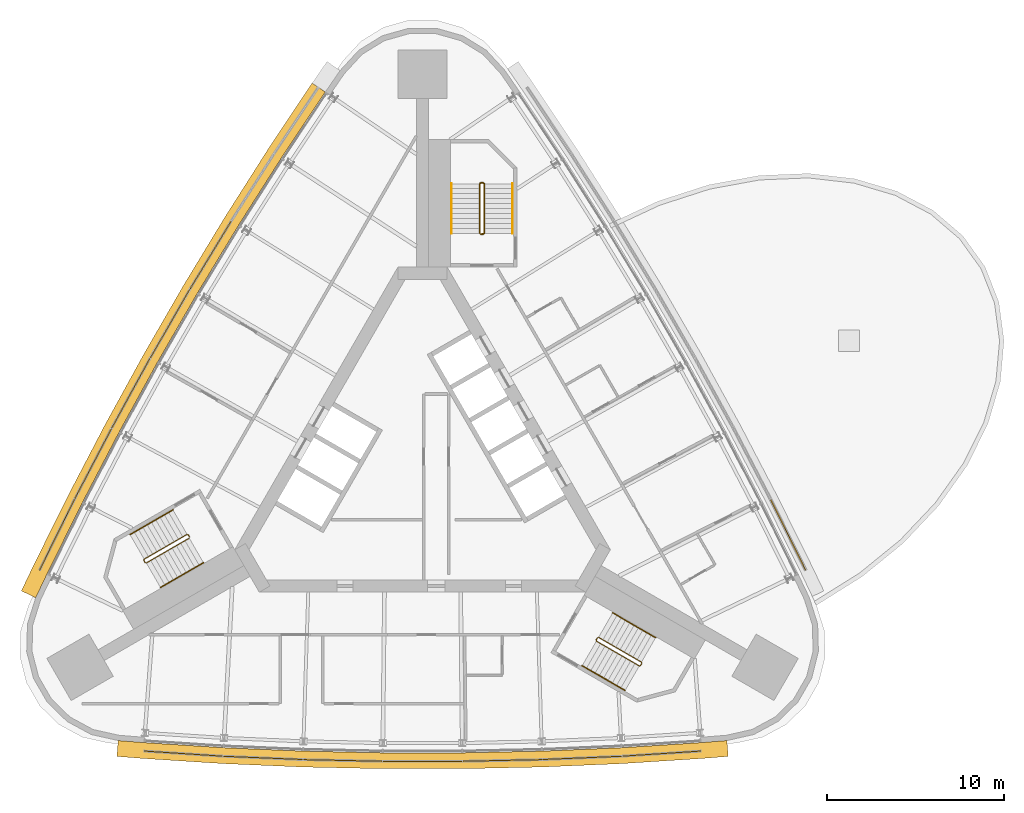
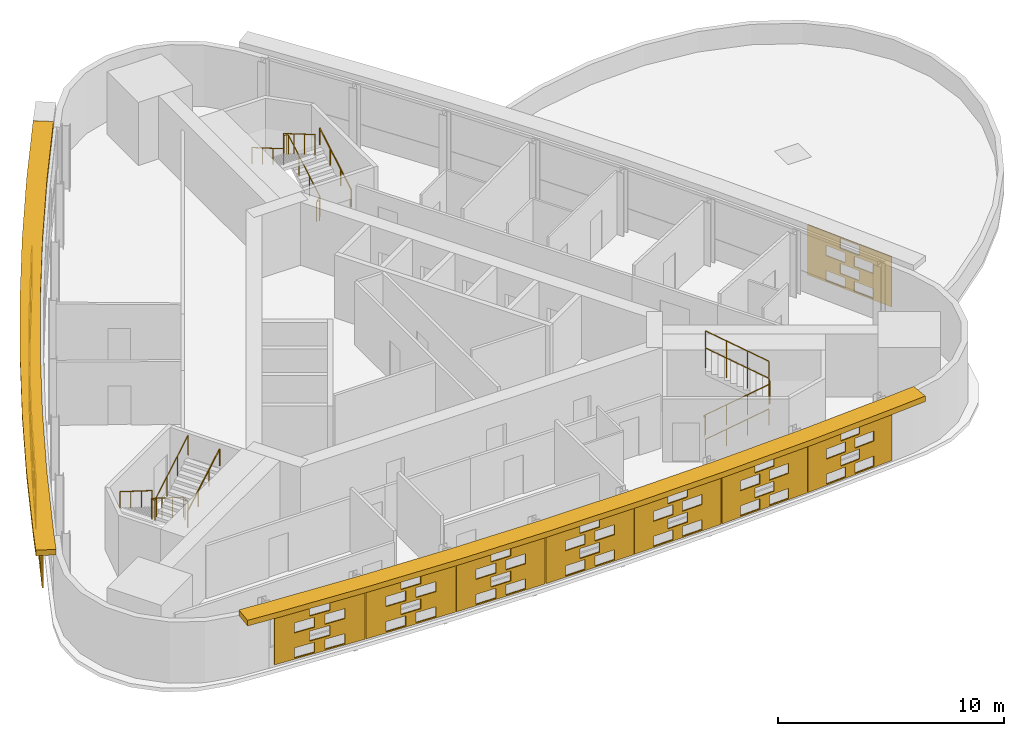
# One storey, part 11 of 12: 15 shading devices, 9 railings.
"""IFC4 building model written with IfcOpenShell, lengths in metres."""

from ifc_helpers import new_model, si_unit, direction, frame, origin, origin_2d, place, context, subcontext, project, spatial, polyline, circle, outline, extrude, material, material_profile, profile_set, type_object, element, save


model = new_model("IFC4")

# Units and contexts
model_context = context("Model", 3, precision=1e-05, world=origin(), true_north=direction((0.0, 1.0)))
body_context = subcontext(model_context, "Body", "Model", "MODEL_VIEW")
ifc_project = project(units=[si_unit("LENGTHUNIT", "METRE"), si_unit("AREAUNIT", "SQUARE_METRE"), si_unit("VOLUMEUNIT", "CUBIC_METRE"), si_unit("PLANEANGLEUNIT", "RADIAN"), si_unit("MASSUNIT", "GRAM", prefix="KILO")], contexts=[model_context])

# Site, building, storey
site_placement = place(None, origin())
site = spatial("IfcSite", under=ifc_project, at=site_placement, CompositionType="ELEMENT")
building_placement = place(site_placement, origin())
building = spatial("IfcBuilding", under=site, at=building_placement, Name="Noor Cloister Tower", CompositionType="ELEMENT")
storey_placement = place(building_placement, frame((0.0, 0.0, 185.10009765625)))
storey = spatial("IfcBuildingStorey", under=building, at=storey_placement, Name="L47", CompositionType="ELEMENT", Elevation=185.10009765625)

# Shading devices
ifc_material_1 = material(Name="Limestone", Category="masonry")
ifc_material_profile = material_profile(ifc_material_1, outline(polyline([(-2.22998046875, -1.35009765625), (2.22998046875, -1.35009765625), (2.22998046875, 1.35009765625), (-2.22998046875, 1.35009765625), (-2.22998046875, -1.35009765625)]), holes=[polyline([(-1.25, -1.282470703125), (-0.25, -1.282470703125), (-0.25, -0.742431640625), (-1.25, -0.742431640625), (-1.25, -1.282470703125)]), polyline([(0.25, -1.282470703125), (1.25, -1.282470703125), (1.25, -0.742431640625), (0.25, -0.742431640625), (0.25, -1.282470703125)]), polyline([(-0.5, -0.607421875), (0.5, -0.607421875), (0.5, -0.0673828125), (-0.5, -0.0673828125), (-0.5, -0.607421875)]), polyline([(-1.25, 0.0673828125), (-0.25, 0.0673828125), (-0.25, 0.607421875), (-1.25, 0.607421875), (-1.25, 0.0673828125)]), polyline([(0.25, 0.0673828125), (1.25, 0.0673828125), (1.25, 0.607421875), (0.25, 0.607421875), (0.25, 0.0673828125)]), polyline([(-0.5, 0.742431640625), (0.5, 0.742431640625), (0.5, 1.282470703125), (-0.5, 1.282470703125), (-0.5, 0.742431640625)])]), Name="Woven screen 32 percent open")
ifc_profile_set = profile_set([ifc_material_profile], Name="Limestone")
shading_device_type_1 = type_object("IfcShadingDeviceType", Name="SCREEN woven limestone 32 percent open", PredefinedType="USERDEFINED", material=ifc_profile_set)
shading_device_1_placement = place(storey_placement, frame((-11.95556640625, 12.109130859375, 1.849853515625), z_axis=(-0.854980050906, 0.518660883962, 0.0), x_axis=(-0.518660883962, -0.854980050906, 0.0)))
element("IfcShadingDevice", 1, at=shading_device_1_placement, inside=storey, type_object=shading_device_type_1, Name="SCREEN L47 3", ObjectType="SCREEN", PredefinedType="USERDEFINED", context=body_context, shape_type="SweptSolid", body=[
    extrude(outline(polyline([(-2.22998046875, -1.35009765625), (2.22998046875, -1.35009765625), (2.22998046875, 1.35009765625), (-2.22998046875, 1.35009765625), (-2.22998046875, -1.35009765625)]), holes=[polyline([(-1.25, -1.282470703125), (-0.25, -1.282470703125), (-0.25, -0.742431640625), (-1.25, -0.742431640625), (-1.25, -1.282470703125)]), polyline([(0.25, -1.282470703125), (1.25, -1.282470703125), (1.25, -0.742431640625), (0.25, -0.742431640625), (0.25, -1.282470703125)]), polyline([(-0.5, -0.607421875), (0.5, -0.607421875), (0.5, -0.0673828125), (-0.5, -0.0673828125), (-0.5, -0.607421875)]), polyline([(-1.25, 0.0673828125), (-0.25, 0.0673828125), (-0.25, 0.607421875), (-1.25, 0.607421875), (-1.25, 0.0673828125)]), polyline([(0.25, 0.0673828125), (1.25, 0.0673828125), (1.25, 0.607421875), (0.25, 0.607421875), (0.25, 0.0673828125)]), polyline([(-0.5, 0.742431640625), (0.5, 0.742431640625), (0.5, 1.282470703125), (-0.5, 1.282470703125), (-0.5, 0.742431640625)])]), origin(), (0.0, 0.0, 1.0), 0.060302734375),
])
shading_device_2_placement = place(storey_placement, frame((-14.251953125, 8.228515625, 1.849853515625), z_axis=(-0.86774129532, 0.497016140981, 0.0), x_axis=(-0.497016140981, -0.86774129532, 0.0)))
element("IfcShadingDevice", 2, at=shading_device_2_placement, inside=storey, type_object=shading_device_type_1, Name="SCREEN L47 4", ObjectType="SCREEN", PredefinedType="USERDEFINED", context=body_context, shape_type="SweptSolid", body=[
    extrude(outline(polyline([(-2.22998046875, -1.35009765625), (2.22998046875, -1.35009765625), (2.22998046875, 1.35009765625), (-2.22998046875, 1.35009765625), (-2.22998046875, -1.35009765625)]), holes=[polyline([(-1.25, -1.282470703125), (-0.25, -1.282470703125), (-0.25, -0.742431640625), (-1.25, -0.742431640625), (-1.25, -1.282470703125)]), polyline([(0.25, -1.282470703125), (1.25, -1.282470703125), (1.25, -0.742431640625), (0.25, -0.742431640625), (0.25, -1.282470703125)]), polyline([(-0.5, -0.607421875), (0.5, -0.607421875), (0.5, -0.0673828125), (-0.5, -0.0673828125), (-0.5, -0.607421875)]), polyline([(-1.25, 0.0673828125), (-0.25, 0.0673828125), (-0.25, 0.607421875), (-1.25, 0.607421875), (-1.25, 0.0673828125)]), polyline([(0.25, 0.0673828125), (1.25, 0.0673828125), (1.25, 0.607421875), (0.25, 0.607421875), (0.25, 0.0673828125)]), polyline([(-0.5, 0.742431640625), (0.5, 0.742431640625), (0.5, 1.282470703125), (-0.5, 1.282470703125), (-0.5, 0.742431640625)])]), origin(), (0.0, 0.0, 1.0), 0.059814453125),
])
for number, where, z_axis, x_axis, name in (
    (3, (-16.464599609375, 4.29931640625, 1.849853515625), (-0.877584848731, 0.479421352547, 0.0), (-0.479421352547, -0.877584848731, 0.0), "SCREEN L47 5"),
    (4, (-18.5927734375, 0.32373046875, 1.849853515625), (-0.886149575817, 0.463399319464, 0.0), (-0.463399319464, -0.886149575817, 0.0), "SCREEN L47 6"),
    (5, (-20.63525390625, -3.6962890625, 1.849853515625), (-0.896848817686, 0.442337199673, 0.0), (-0.442337199673, -0.896848817686, 0.0), "SCREEN L47 7"),
):
    element("IfcShadingDevice", number, at=place(storey_placement, frame(where, z_axis=z_axis, x_axis=x_axis)), inside=storey, type_object=shading_device_type_1, Name=name, ObjectType="SCREEN", PredefinedType="USERDEFINED", context=body_context, shape_type="SweptSolid", body=[
        extrude(outline(polyline([(-2.22998046875, -1.35009765625), (2.22998046875, -1.35009765625), (2.22998046875, 1.35009765625), (-2.22998046875, 1.35009765625), (-2.22998046875, -1.35009765625)]), holes=[polyline([(-1.25, -1.282470703125), (-0.25, -1.282470703125), (-0.25, -0.742431640625), (-1.25, -0.742431640625), (-1.25, -1.282470703125)]), polyline([(0.25, -1.282470703125), (1.25, -1.282470703125), (1.25, -0.742431640625), (0.25, -0.742431640625), (0.25, -1.282470703125)]), polyline([(-0.5, -0.607421875), (0.5, -0.607421875), (0.5, -0.0673828125), (-0.5, -0.0673828125), (-0.5, -0.607421875)]), polyline([(-1.25, 0.0673828125), (-0.25, 0.0673828125), (-0.25, 0.607421875), (-1.25, 0.607421875), (-1.25, 0.0673828125)]), polyline([(0.25, 0.0673828125), (1.25, 0.0673828125), (1.25, 0.607421875), (0.25, 0.607421875), (0.25, 0.0673828125)]), polyline([(-0.5, 0.742431640625), (0.5, 0.742431640625), (0.5, 1.282470703125), (-0.5, 1.282470703125), (-0.5, 0.742431640625)])]), origin(), (0.0, 0.0, 1.0), 0.06005859375),
    ])
shading_device_3_placement = place(storey_placement, frame((-13.518798828125, -16.0224609375, 1.849853515625), z_axis=(-0.064903515062, -0.997891544073, 0.0), x_axis=(0.997891544073, -0.064903515062, 0.0)))
element("IfcShadingDevice", 6, at=shading_device_3_placement, inside=storey, type_object=shading_device_type_1, Name="SCREEN L47 1", ObjectType="SCREEN", PredefinedType="USERDEFINED", context=body_context, shape_type="SweptSolid", body=[
    extrude(outline(polyline([(-2.22998046875, -1.35009765625), (2.22998046875, -1.35009765625), (2.22998046875, 1.35009765625), (-2.22998046875, 1.35009765625), (-2.22998046875, -1.35009765625)]), holes=[polyline([(-1.25, -1.282470703125), (-0.25, -1.282470703125), (-0.25, -0.742431640625), (-1.25, -0.742431640625), (-1.25, -1.282470703125)]), polyline([(0.25, -1.282470703125), (1.25, -1.282470703125), (1.25, -0.742431640625), (0.25, -0.742431640625), (0.25, -1.282470703125)]), polyline([(-0.5, -0.607421875), (0.5, -0.607421875), (0.5, -0.0673828125), (-0.5, -0.0673828125), (-0.5, -0.607421875)]), polyline([(-1.25, 0.0673828125), (-0.25, 0.0673828125), (-0.25, 0.607421875), (-1.25, 0.607421875), (-1.25, 0.0673828125)]), polyline([(0.25, 0.0673828125), (1.25, 0.0673828125), (1.25, 0.607421875), (0.25, 0.607421875), (0.25, 0.0673828125)]), polyline([(-0.5, 0.742431640625), (0.5, 0.742431640625), (0.5, 1.282470703125), (-0.5, 1.282470703125), (-0.5, 0.742431640625)])]), origin(), (0.0, 0.0, 1.0), 0.060302734375),
])
for number, where, z_axis, x_axis, name in (
    (7, (-9.01611328125, -16.263671875, 1.849853515625), (-0.040616861577, -0.999174794796, 0.0), (0.999174794796, -0.040616861577, 0.0), "SCREEN L47 2"),
    (8, (-4.509033203125, -16.408447265625, 1.849853515625), (-0.020321006241, -0.999793507033, 0.0), (0.999793507033, -0.020321006241, 0.0), "SCREEN L47 3"),
    (9, (0.0, -16.456787109375, 1.849853515625), (0.0, -1.0, 0.0), (1.0, 0.0, 0.0), "SCREEN L47 4"),
    (10, (4.509033203125, -16.408447265625, 1.849853515625), (0.020321006241, -0.999793507033, 0.0), (0.999793507033, 0.020321006241, 0.0), "SCREEN L47 5"),
    (11, (9.01611328125, -16.263671875, 1.849853515625), (0.040616861577, -0.999174794796, 0.0), (0.999174794796, 0.040616861577, 0.0), "SCREEN L47 6"),
):
    element("IfcShadingDevice", number, at=place(storey_placement, frame(where, z_axis=z_axis, x_axis=x_axis)), inside=storey, type_object=shading_device_type_1, Name=name, ObjectType="SCREEN", PredefinedType="USERDEFINED", context=body_context, shape_type="SweptSolid", body=[
        extrude(outline(polyline([(-2.22998046875, -1.35009765625), (2.22998046875, -1.35009765625), (2.22998046875, 1.35009765625), (-2.22998046875, 1.35009765625), (-2.22998046875, -1.35009765625)]), holes=[polyline([(-1.25, -1.282470703125), (-0.25, -1.282470703125), (-0.25, -0.742431640625), (-1.25, -0.742431640625), (-1.25, -1.282470703125)]), polyline([(0.25, -1.282470703125), (1.25, -1.282470703125), (1.25, -0.742431640625), (0.25, -0.742431640625), (0.25, -1.282470703125)]), polyline([(-0.5, -0.607421875), (0.5, -0.607421875), (0.5, -0.0673828125), (-0.5, -0.0673828125), (-0.5, -0.607421875)]), polyline([(-1.25, 0.0673828125), (-0.25, 0.0673828125), (-0.25, 0.607421875), (-1.25, 0.607421875), (-1.25, 0.0673828125)]), polyline([(0.25, 0.0673828125), (1.25, 0.0673828125), (1.25, 0.607421875), (0.25, 0.607421875), (0.25, 0.0673828125)]), polyline([(-0.5, 0.742431640625), (0.5, 0.742431640625), (0.5, 1.282470703125), (-0.5, 1.282470703125), (-0.5, 0.742431640625)])]), origin(), (0.0, 0.0, 1.0), 0.06005859375),
    ])
shading_device_4_placement = place(storey_placement, frame((13.518798828125, -16.0224609375, 1.849853515625), z_axis=(0.064903515062, -0.997891544073, 0.0), x_axis=(0.997891544073, 0.064903515062, 0.0)))
element("IfcShadingDevice", 12, at=shading_device_4_placement, inside=storey, type_object=shading_device_type_1, Name="SCREEN L47 7", ObjectType="SCREEN", PredefinedType="USERDEFINED", context=body_context, shape_type="SweptSolid", body=[
    extrude(outline(polyline([(-2.22998046875, -1.35009765625), (2.22998046875, -1.35009765625), (2.22998046875, 1.35009765625), (-2.22998046875, 1.35009765625), (-2.22998046875, -1.35009765625)]), holes=[polyline([(-1.25, -1.282470703125), (-0.25, -1.282470703125), (-0.25, -0.742431640625), (-1.25, -0.742431640625), (-1.25, -1.282470703125)]), polyline([(0.25, -1.282470703125), (1.25, -1.282470703125), (1.25, -0.742431640625), (0.25, -0.742431640625), (0.25, -1.282470703125)]), polyline([(-0.5, -0.607421875), (0.5, -0.607421875), (0.5, -0.0673828125), (-0.5, -0.0673828125), (-0.5, -0.607421875)]), polyline([(-1.25, 0.0673828125), (-0.25, 0.0673828125), (-0.25, 0.607421875), (-1.25, 0.607421875), (-1.25, 0.0673828125)]), polyline([(0.25, 0.0673828125), (1.25, 0.0673828125), (1.25, 0.607421875), (0.25, 0.607421875), (0.25, 0.0673828125)]), polyline([(-0.5, 0.742431640625), (0.5, 0.742431640625), (0.5, 1.282470703125), (-0.5, 1.282470703125), (-0.5, 0.742431640625)])]), origin(), (0.0, 0.0, 1.0), 0.060302734375),
])
shading_device_5_placement = place(storey_placement, frame((20.63525390625, -3.6962890625, 1.849853515625), z_axis=(0.896848817686, 0.442337199673, 0.0), x_axis=(-0.442337199673, 0.896848817686, 0.0)))
element("IfcShadingDevice", 13, at=shading_device_5_placement, inside=storey, type_object=shading_device_type_1, Name="SCREEN L47 1", ObjectType="SCREEN", PredefinedType="USERDEFINED", context=body_context, shape_type="SweptSolid", body=[
    extrude(outline(polyline([(-2.22998046875, -1.35009765625), (2.22998046875, -1.35009765625), (2.22998046875, 1.35009765625), (-2.22998046875, 1.35009765625), (-2.22998046875, -1.35009765625)]), holes=[polyline([(-1.25, -1.282470703125), (-0.25, -1.282470703125), (-0.25, -0.742431640625), (-1.25, -0.742431640625), (-1.25, -1.282470703125)]), polyline([(0.25, -1.282470703125), (1.25, -1.282470703125), (1.25, -0.742431640625), (0.25, -0.742431640625), (0.25, -1.282470703125)]), polyline([(-0.5, -0.607421875), (0.5, -0.607421875), (0.5, -0.0673828125), (-0.5, -0.0673828125), (-0.5, -0.607421875)]), polyline([(-1.25, 0.0673828125), (-0.25, 0.0673828125), (-0.25, 0.607421875), (-1.25, 0.607421875), (-1.25, 0.0673828125)]), polyline([(0.25, 0.0673828125), (1.25, 0.0673828125), (1.25, 0.607421875), (0.25, 0.607421875), (0.25, 0.0673828125)]), polyline([(-0.5, 0.742431640625), (0.5, 0.742431640625), (0.5, 1.282470703125), (-0.5, 1.282470703125), (-0.5, 0.742431640625)])]), origin(), (0.0, 0.0, 1.0), 0.06005859375),
])
ifc_material_2 = material(Name="Limestone", Category="masonry")
shading_device_type_2 = type_object("IfcShadingDeviceType", Name="SUNSHADE limestone band 900", PredefinedType="USERDEFINED", material=ifc_material_2)
shading_device_6_placement = place(storey_placement, frame((0.0, 0.0, 3.2998046875)))
element("IfcShadingDevice", 14, at=shading_device_6_placement, inside=storey, type_object=shading_device_type_2, Name="SUNSHADE L47 1", ObjectType="SUNSHADE", PredefinedType="USERDEFINED", context=body_context, shape_type="SweptSolid", body=[
    extrude(outline(polyline([(-6.2431640625, 21.8408203125), (-8.744140625, 18.088134765625), (-11.1689453125, 14.274658203125), (-13.511962890625, 10.41015625), (-15.771484375, 6.49658203125), (-17.94677734375, 2.535400390625), (-20.036865234375, -1.471435546875), (-22.0390625, -5.519287109375), (-22.6767578125, -6.855712890625), (-21.864501953125, -7.2431640625), (-21.2294921875, -5.91259765625), (-19.234375, -1.879150390625), (-17.1533203125, 2.110595703125), (-14.9873046875, 6.054931640625), (-12.7373046875, 9.951904296875), (-10.404541015625, 13.7998046875), (-7.98974609375, 17.59716796875), (-5.494384765625, 21.341552734375), (-6.2431640625, 21.8408203125)])), origin(), (0.0, 0.0, 1.0), 0.300048828125),
])
shading_device_7_placement = place(storey_placement, frame((0.0, 0.0, 3.2998046875)))
element("IfcShadingDevice", 15, at=shading_device_7_placement, inside=storey, type_object=shading_device_type_2, Name="SUNSHADE L47 2", ObjectType="SUNSHADE", PredefinedType="USERDEFINED", context=body_context, shape_type="SweptSolid", body=[
    extrude(outline(polyline([(-17.275634765625, -16.210693359375), (-15.79931640625, -16.326904296875), (-11.292724609375, -16.61669921875), (-6.77783203125, -16.81005859375), (-2.259521484375, -16.90673828125), (2.259521484375, -16.90673828125), (6.77783203125, -16.81005859375), (11.292724609375, -16.61669921875), (15.79931640625, -16.326904296875), (17.275634765625, -16.210693359375), (17.205078125, -15.3134765625), (15.7353515625, -15.428955078125), (11.24462890625, -15.7177734375), (6.748779296875, -15.910400390625), (2.25, -16.0068359375), (-2.25, -16.0068359375), (-6.748779296875, -15.910400390625), (-11.24462890625, -15.7177734375), (-15.7353515625, -15.428955078125), (-17.205078125, -15.3134765625), (-17.275634765625, -16.210693359375)])), origin(), (0.0, 0.0, 1.0), 0.300048828125),
])

# Railings
ifc_material_3 = material(Name="Stainless steel", Category="steel")
railing_type_1 = type_object("IfcRailingType", Name="Stair guard 1100", PredefinedType="GUARDRAIL", material=ifc_material_3)
railing_1_placement = place(storey_placement, frame((3.435546875, 13.306396484375, 0.0)))
element("IfcRailing", 16, at=railing_1_placement, inside=storey, type_object=railing_type_1, Name="Stair guard ST1 L47", PredefinedType="GUARDRAIL", context=body_context, shape_type="SweptSolid", body=[
    extrude(circle(Radius=0.02392578125, at=origin_2d()), frame((0.0, 0.0, 1.076171875), z_axis=(-1.0, 0.0, 0.0), x_axis=(0.0, -1.0, 0.0)), (0.0, 0.0, 1.0), 0.14990234375),
    extrude(circle(Radius=0.02392578125, at=origin_2d()), frame((-0.14990234375, 0.0, 1.076171875), z_axis=(0.759870394187, 0.190199549216, 0.621627795), x_axis=(-0.242814311512, 0.970072785993, 0.0)), (0.0, 0.0, 1.0), 0.26318359375),
    extrude(circle(Radius=0.02392578125, at=origin_2d()), frame((0.050048828125, 0.050048828125, 1.23974609375), z_axis=(0.0, 0.863393664356, 0.504530851732), x_axis=(-1.0, 0.0, 0.0)), (0.0, 0.0, 1.0), 3.2431640625),
    extrude(circle(Radius=0.02392578125, at=origin_2d()), frame((0.050048828125, 2.85009765625, 2.8759765625), z_axis=(-0.708833529934, 0.705375805398, 0.0), x_axis=(-0.705375805398, -0.708833529934, 0.0)), (0.0, 0.0, 1.0), 0.070556640625),
    extrude(circle(Radius=0.02392578125, at=origin_2d()), frame((0.0, 2.89990234375, 2.8759765625), z_axis=(-1.0, 0.0, 0.0), x_axis=(0.0, -1.0, 0.0)), (0.0, 0.0, 1.0), 0.14990234375),
    extrude(circle(Radius=0.02392578125, at=origin_2d()), frame((-0.14990234375, 2.89990234375, 2.8759765625), z_axis=(-0.280563532951, -0.279194930351, 0.91833234444), x_axis=(0.705375805398, -0.708833529934, 0.0)), (0.0, 0.0, 1.0), 0.178466796875),
    extrude(circle(Radius=0.02392578125, at=origin_2d()), frame((-0.199951171875, 2.85009765625, 3.03955078125), z_axis=(0.0, -0.863393664356, 0.504530851732), x_axis=(1.0, 0.0, 0.0)), (0.0, 0.0, 1.0), 3.2431640625),
    extrude(circle(Radius=0.02099609375, at=origin_2d()), origin(), (0.0, 0.0, 1.0), 1.052001953125),
    extrude(circle(Radius=0.02099609375, at=origin_2d()), frame((-0.14990234375, 0.0, 0.0)), (0.0, 0.0, 1.0), 1.052001953125),
    extrude(circle(Radius=0.02099609375, at=origin_2d()), frame((0.050048828125, 0.050048828125, 0.16357421875)), (0.0, 0.0, 1.0), 1.052001953125),
    extrude(circle(Radius=0.02099609375, at=origin_2d()), frame((0.050048828125, 0.9833984375, 0.708984375)), (0.0, 0.0, 1.0), 1.052001953125),
    extrude(circle(Radius=0.02099609375, at=origin_2d()), frame((0.050048828125, 1.916748046875, 1.25439453125)), (0.0, 0.0, 1.0), 1.052001953125),
    extrude(circle(Radius=0.02099609375, at=origin_2d()), frame((0.050048828125, 2.85009765625, 1.7998046875)), (0.0, 0.0, 1.0), 1.052001953125),
    extrude(circle(Radius=0.02099609375, at=origin_2d()), frame((0.0, 2.89990234375, 1.7998046875)), (0.0, 0.0, 1.0), 1.052001953125),
    extrude(circle(Radius=0.02099609375, at=origin_2d()), frame((-0.14990234375, 2.89990234375, 1.7998046875)), (0.0, 0.0, 1.0), 1.052001953125),
    extrude(circle(Radius=0.02099609375, at=origin_2d()), frame((-0.199951171875, 2.85009765625, 1.963623046875)), (0.0, 0.0, 1.0), 1.052001953125),
    extrude(circle(Radius=0.02099609375, at=origin_2d()), frame((-0.199951171875, 1.916748046875, 2.509033203125)), (0.0, 0.0, 1.0), 1.052001953125),
    extrude(circle(Radius=0.02099609375, at=origin_2d()), frame((-0.199951171875, 0.9833984375, 3.054443359375)), (0.0, 0.0, 1.0), 1.052001953125),
    extrude(circle(Radius=0.02099609375, at=origin_2d()), frame((-0.199951171875, 0.050048828125, 3.599853515625)), (0.0, 0.0, 1.0), 1.052001953125),
])
railing_2_placement = place(storey_placement, frame((-13.241455078125, -3.677734375, 0.0)))
element("IfcRailing", 17, at=railing_2_placement, inside=storey, type_object=railing_type_1, Name="Stair guard ST2 L47", PredefinedType="GUARDRAIL", context=body_context, shape_type="SweptSolid", body=[
    extrude(circle(Radius=0.02392578125, at=origin_2d()), frame((0.0, 0.0, 1.076171875), z_axis=(0.499112439033, -0.866537231285, 0.0), x_axis=(0.866537231285, 0.499112439033, 0.0)), (0.0, 0.0, 1.0), 0.150146484375),
    extrude(circle(Radius=0.02392578125, at=origin_2d()), frame((0.074951171875, -0.130126953125, 1.076171875), z_axis=(-0.544565797804, 0.563119998752, 0.621565731736), x_axis=(-0.718850276695, -0.695164929852, 0.0)), (0.0, 0.0, 1.0), 0.26318359375),
    extrude(circle(Radius=0.02392578125, at=origin_2d()), frame((-0.068359375, 0.01806640625, 1.23974609375), z_axis=(-0.74771821388, -0.431677027627, 0.504551698492), x_axis=(0.49998411664, -0.866034573852, 0.0)), (0.0, 0.0, 1.0), 3.242919921875),
    extrude(circle(Radius=0.02392578125, at=origin_2d()), frame((-2.4931640625, -1.3818359375, 2.8759765625), z_axis=(-0.258736085224, -0.965948051503, 0.0), x_axis=(0.965948051503, -0.258736085224, 0.0)), (0.0, 0.0, 1.0), 0.07080078125),
    extrude(circle(Radius=0.02392578125, at=origin_2d()), frame((-2.511474609375, -1.4501953125, 2.8759765625), z_axis=(0.499816412211, -0.866131372301, 0.0), x_axis=(0.866131372301, 0.499816412211, 0.0)), (0.0, 0.0, 1.0), 0.14990234375),
    extrude(circle(Radius=0.02392578125, at=origin_2d()), frame((-2.4365234375, -1.580078125, 2.8759765625), z_axis=(0.383070988865, -0.102608300589, 0.918002262601), x_axis=(0.258736085224, 0.965948051503, 0.0)), (0.0, 0.0, 1.0), 0.178466796875),
    extrude(circle(Radius=0.02392578125, at=origin_2d()), frame((-2.3681640625, -1.598388671875, 3.03955078125), z_axis=(0.747693913401, 0.431738279637, 0.504535300807), x_axis=(-0.500049511043, 0.865996816683, 0.0)), (0.0, 0.0, 1.0), 3.2431640625),
    extrude(circle(Radius=0.02099609375, at=origin_2d()), origin(), (0.0, 0.0, 1.0), 1.052001953125),
    extrude(circle(Radius=0.02099609375, at=origin_2d()), frame((0.074951171875, -0.130126953125, 0.0)), (0.0, 0.0, 1.0), 1.052001953125),
    extrude(circle(Radius=0.02099609375, at=origin_2d()), frame((-0.068359375, 0.01806640625, 0.16357421875)), (0.0, 0.0, 1.0), 1.052001953125),
    extrude(circle(Radius=0.02099609375, at=origin_2d()), frame((-0.876708984375, -0.448486328125, 0.708984375)), (0.0, 0.0, 1.0), 1.052001953125),
    extrude(circle(Radius=0.02099609375, at=origin_2d()), frame((-1.684814453125, -0.915283203125, 1.25439453125)), (0.0, 0.0, 1.0), 1.052001953125),
    extrude(circle(Radius=0.02099609375, at=origin_2d()), frame((-2.4931640625, -1.3818359375, 1.7998046875)), (0.0, 0.0, 1.0), 1.052001953125),
    extrude(circle(Radius=0.02099609375, at=origin_2d()), frame((-2.511474609375, -1.4501953125, 1.7998046875)), (0.0, 0.0, 1.0), 1.052001953125),
    extrude(circle(Radius=0.02099609375, at=origin_2d()), frame((-2.4365234375, -1.580078125, 1.7998046875)), (0.0, 0.0, 1.0), 1.052001953125),
    extrude(circle(Radius=0.02099609375, at=origin_2d()), frame((-2.3681640625, -1.598388671875, 1.963623046875)), (0.0, 0.0, 1.0), 1.052001953125),
    extrude(circle(Radius=0.02099609375, at=origin_2d()), frame((-1.559814453125, -1.131591796875, 2.509033203125)), (0.0, 0.0, 1.0), 1.052001953125),
    extrude(circle(Radius=0.02099609375, at=origin_2d()), frame((-0.751708984375, -0.6650390625, 3.054443359375)), (0.0, 0.0, 1.0), 1.052001953125),
    extrude(circle(Radius=0.02099609375, at=origin_2d()), frame((0.056640625, -0.1982421875, 3.599853515625)), (0.0, 0.0, 1.0), 1.052001953125),
])
railing_3_placement = place(storey_placement, frame((9.805908203125, -9.628662109375, 0.0)))
element("IfcRailing", 18, at=railing_3_placement, inside=storey, type_object=railing_type_1, Name="Stair guard ST3 L47", PredefinedType="GUARDRAIL", context=body_context, shape_type="SweptSolid", body=[
    extrude(circle(Radius=0.02392578125, at=origin_2d()), frame((0.0, 0.0, 1.076171875), z_axis=(0.499112439033, 0.866537231285, 0.0), x_axis=(-0.866537231285, 0.499112439033, 0.0)), (0.0, 0.0, 1.0), 0.150146484375),
    extrude(circle(Radius=0.02392578125, at=origin_2d()), frame((0.074951171875, 0.130126953125, 1.076171875), z_axis=(-0.215214839654, -0.753251938789, 0.621525614518), x_axis=(0.961523947641, -0.274721127897, 0.0)), (0.0, 0.0, 1.0), 0.26318359375),
    extrude(circle(Radius=0.02392578125, at=origin_2d()), frame((0.018310546875, -0.068115234375, 1.23974609375), z_axis=(0.747693913401, -0.431738279637, 0.504535300807), x_axis=(0.500049511043, 0.865996816683, 0.0)), (0.0, 0.0, 1.0), 3.2431640625),
    extrude(circle(Radius=0.02392578125, at=origin_2d()), frame((2.443115234375, -1.46826171875, 2.8759765625), z_axis=(0.965948051503, 0.258736085224, 0.0), x_axis=(-0.258736085224, 0.965948051503, 0.0)), (0.0, 0.0, 1.0), 0.07080078125),
    extrude(circle(Radius=0.02392578125, at=origin_2d()), frame((2.511474609375, -1.449951171875, 2.8759765625), z_axis=(0.499816412211, 0.866131372301, 0.0), x_axis=(-0.866131372301, 0.499816412211, 0.0)), (0.0, 0.0, 1.0), 0.14990234375),
    extrude(circle(Radius=0.02392578125, at=origin_2d()), frame((2.58642578125, -1.320068359375, 2.8759765625), z_axis=(-0.102608300589, 0.383070988865, 0.918002262601), x_axis=(-0.965948051503, -0.258736085224, 0.0)), (0.0, 0.0, 1.0), 0.178466796875),
    extrude(circle(Radius=0.02392578125, at=origin_2d()), frame((2.568115234375, -1.251708984375, 3.03955078125), z_axis=(-0.74771821388, 0.431677027627, 0.504551698492), x_axis=(-0.49998411664, -0.866034573852, 0.0)), (0.0, 0.0, 1.0), 3.242919921875),
    extrude(circle(Radius=0.02099609375, at=origin_2d()), origin(), (0.0, 0.0, 1.0), 1.052001953125),
    extrude(circle(Radius=0.02099609375, at=origin_2d()), frame((0.074951171875, 0.130126953125, 0.0)), (0.0, 0.0, 1.0), 1.052001953125),
    extrude(circle(Radius=0.02099609375, at=origin_2d()), frame((0.018310546875, -0.068115234375, 0.16357421875)), (0.0, 0.0, 1.0), 1.052001953125),
    extrude(circle(Radius=0.02099609375, at=origin_2d()), frame((0.82666015625, -0.534912109375, 0.708984375)), (0.0, 0.0, 1.0), 1.052001953125),
    extrude(circle(Radius=0.02099609375, at=origin_2d()), frame((1.634765625, -1.00146484375, 1.25439453125)), (0.0, 0.0, 1.0), 1.052001953125),
    extrude(circle(Radius=0.02099609375, at=origin_2d()), frame((2.443115234375, -1.46826171875, 1.7998046875)), (0.0, 0.0, 1.0), 1.052001953125),
    extrude(circle(Radius=0.02099609375, at=origin_2d()), frame((2.511474609375, -1.449951171875, 1.7998046875)), (0.0, 0.0, 1.0), 1.052001953125),
    extrude(circle(Radius=0.02099609375, at=origin_2d()), frame((2.58642578125, -1.320068359375, 1.7998046875)), (0.0, 0.0, 1.0), 1.052001953125),
    extrude(circle(Radius=0.02099609375, at=origin_2d()), frame((2.568115234375, -1.251708984375, 1.963623046875)), (0.0, 0.0, 1.0), 1.052001953125),
    extrude(circle(Radius=0.02099609375, at=origin_2d()), frame((1.759765625, -0.78515625, 2.509033203125)), (0.0, 0.0, 1.0), 1.052001953125),
    extrude(circle(Radius=0.02099609375, at=origin_2d()), frame((0.95166015625, -0.318359375, 3.054443359375)), (0.0, 0.0, 1.0), 1.052001953125),
    extrude(circle(Radius=0.02099609375, at=origin_2d()), frame((0.143310546875, 0.148193359375, 3.599853515625)), (0.0, 0.0, 1.0), 1.052001953125),
])
ifc_material_4 = material(Name="Stainless steel", Category="steel")
railing_type_2 = type_object("IfcRailingType", Name="Stair handrail 900", PredefinedType="HANDRAIL", material=ifc_material_4)
railing_4_placement = place(storey_placement, frame((5.085693359375, 13.3564453125, 0.16357421875)))
element("IfcRailing", 19, at=railing_4_placement, inside=storey, type_object=railing_type_2, Name="Stair handrail ST1 L47 1", PredefinedType="HANDRAIL", context=body_context, shape_type="SweptSolid", body=[
    extrude(circle(Radius=0.02392578125, at=origin_2d()), frame((0.0, 0.0, 0.8759765625), z_axis=(0.0, 0.863393664356, 0.504530851732), x_axis=(-1.0, 0.0, 0.0)), (0.0, 0.0, 1.0), 3.2431640625),
    extrude(circle(Radius=0.02099609375, at=origin_2d()), origin(), (0.0, 0.0, 1.0), 0.851806640625),
    extrude(circle(Radius=0.02099609375, at=origin_2d()), frame((0.0, 0.933349609375, 0.54541015625)), (0.0, 0.0, 1.0), 0.851806640625),
    extrude(circle(Radius=0.02099609375, at=origin_2d()), frame((0.0, 1.86669921875, 1.0908203125)), (0.0, 0.0, 1.0), 0.851806640625),
    extrude(circle(Radius=0.02099609375, at=origin_2d()), frame((0.0, 2.800048828125, 1.63623046875)), (0.0, 0.0, 1.0), 0.851806640625),
])
railing_5_placement = place(storey_placement, frame((1.6357421875, 16.156494140625, 1.963623046875)))
element("IfcRailing", 20, at=railing_5_placement, inside=storey, type_object=railing_type_2, Name="Stair handrail ST1 L47 2", PredefinedType="HANDRAIL", context=body_context, shape_type="SweptSolid", body=[
    extrude(circle(Radius=0.02392578125, at=origin_2d()), frame((0.0, 0.0, 0.8759765625), z_axis=(0.0, -0.863393664356, 0.504530851732), x_axis=(1.0, 0.0, 0.0)), (0.0, 0.0, 1.0), 3.2431640625),
    extrude(circle(Radius=0.02099609375, at=origin_2d()), origin(), (0.0, 0.0, 1.0), 0.851806640625),
    extrude(circle(Radius=0.02099609375, at=origin_2d()), frame((0.0, -0.933349609375, 0.54541015625)), (0.0, 0.0, 1.0), 0.851806640625),
    extrude(circle(Radius=0.02099609375, at=origin_2d()), frame((0.0, -1.86669921875, 1.0908203125)), (0.0, 0.0, 1.0), 0.851806640625),
    extrude(circle(Radius=0.02099609375, at=origin_2d()), frame((0.0, -2.800048828125, 1.63623046875)), (0.0, 0.0, 1.0), 0.851806640625),
])
railing_6_placement = place(storey_placement, frame((-14.10986328125, -2.27392578125, 0.16357421875)))
element("IfcRailing", 21, at=railing_6_placement, inside=storey, type_object=railing_type_2, Name="Stair handrail ST2 L47 1", PredefinedType="HANDRAIL", context=body_context, shape_type="SweptSolid", body=[
    extrude(circle(Radius=0.02392578125, at=origin_2d()), frame((0.0, 0.0, 0.8759765625), z_axis=(-0.74771821388, -0.431677027627, 0.504551698492), x_axis=(0.49998411664, -0.866034573852, 0.0)), (0.0, 0.0, 1.0), 3.242919921875),
    extrude(circle(Radius=0.02099609375, at=origin_2d()), origin(), (0.0, 0.0, 1.0), 0.851806640625),
    extrude(circle(Radius=0.02099609375, at=origin_2d()), frame((-0.808349609375, -0.466552734375, 0.54541015625)), (0.0, 0.0, 1.0), 0.851806640625),
    extrude(circle(Radius=0.02099609375, at=origin_2d()), frame((-1.616455078125, -0.933349609375, 1.0908203125)), (0.0, 0.0, 1.0), 0.851806640625),
    extrude(circle(Radius=0.02099609375, at=origin_2d()), frame((-2.4248046875, -1.39990234375, 1.63623046875)), (0.0, 0.0, 1.0), 0.851806640625),
])
railing_7_placement = place(storey_placement, frame((-14.8095703125, -6.66162109375, 1.963623046875)))
element("IfcRailing", 22, at=railing_7_placement, inside=storey, type_object=railing_type_2, Name="Stair handrail ST2 L47 2", PredefinedType="HANDRAIL", context=body_context, shape_type="SweptSolid", body=[
    extrude(circle(Radius=0.02392578125, at=origin_2d()), frame((0.0, 0.0, 0.8759765625), z_axis=(0.74771821388, 0.431677027627, 0.504551698492), x_axis=(-0.49998411664, 0.866034573852, 0.0)), (0.0, 0.0, 1.0), 3.242919921875),
    extrude(circle(Radius=0.02099609375, at=origin_2d()), origin(), (0.0, 0.0, 1.0), 0.851806640625),
    extrude(circle(Radius=0.02099609375, at=origin_2d()), frame((0.808349609375, 0.466552734375, 0.54541015625)), (0.0, 0.0, 1.0), 0.851806640625),
    extrude(circle(Radius=0.02099609375, at=origin_2d()), frame((1.616455078125, 0.933349609375, 1.0908203125)), (0.0, 0.0, 1.0), 0.851806640625),
    extrude(circle(Radius=0.02099609375, at=origin_2d()), frame((2.4248046875, 1.39990234375, 1.63623046875)), (0.0, 0.0, 1.0), 0.851806640625),
])
railing_8_placement = place(storey_placement, frame((9.024169921875, -11.08251953125, 0.16357421875)))
element("IfcRailing", 23, at=railing_8_placement, inside=storey, type_object=railing_type_2, Name="Stair handrail ST3 L47 1", PredefinedType="HANDRAIL", context=body_context, shape_type="SweptSolid", body=[
    extrude(circle(Radius=0.02392578125, at=origin_2d()), frame((0.0, 0.0, 0.8759765625), z_axis=(0.74771821388, -0.431677027627, 0.504551698492), x_axis=(0.49998411664, 0.866034573852, 0.0)), (0.0, 0.0, 1.0), 3.242919921875),
    extrude(circle(Radius=0.02099609375, at=origin_2d()), origin(), (0.0, 0.0, 1.0), 0.851806640625),
    extrude(circle(Radius=0.02099609375, at=origin_2d()), frame((0.808349609375, -0.466552734375, 0.54541015625)), (0.0, 0.0, 1.0), 0.851806640625),
    extrude(circle(Radius=0.02099609375, at=origin_2d()), frame((1.616455078125, -0.933349609375, 1.0908203125)), (0.0, 0.0, 1.0), 0.851806640625),
    extrude(circle(Radius=0.02099609375, at=origin_2d()), frame((2.4248046875, -1.39990234375, 1.63623046875)), (0.0, 0.0, 1.0), 0.851806640625),
])
railing_9_placement = place(storey_placement, frame((13.174072265625, -9.49462890625, 1.963623046875)))
element("IfcRailing", 24, at=railing_9_placement, inside=storey, type_object=railing_type_2, Name="Stair handrail ST3 L47 2", PredefinedType="HANDRAIL", context=body_context, shape_type="SweptSolid", body=[
    extrude(circle(Radius=0.02392578125, at=origin_2d()), frame((0.0, 0.0, 0.8759765625), z_axis=(-0.74771821388, 0.431677027627, 0.504551698492), x_axis=(-0.49998411664, -0.866034573852, 0.0)), (0.0, 0.0, 1.0), 3.242919921875),
    extrude(circle(Radius=0.02099609375, at=origin_2d()), origin(), (0.0, 0.0, 1.0), 0.851806640625),
    extrude(circle(Radius=0.02099609375, at=origin_2d()), frame((-0.808349609375, 0.466552734375, 0.54541015625)), (0.0, 0.0, 1.0), 0.851806640625),
    extrude(circle(Radius=0.02099609375, at=origin_2d()), frame((-1.616455078125, 0.933349609375, 1.0908203125)), (0.0, 0.0, 1.0), 0.851806640625),
    extrude(circle(Radius=0.02099609375, at=origin_2d()), frame((-2.4248046875, 1.39990234375, 1.63623046875)), (0.0, 0.0, 1.0), 0.851806640625),
])

save(model, "model.ifc")
